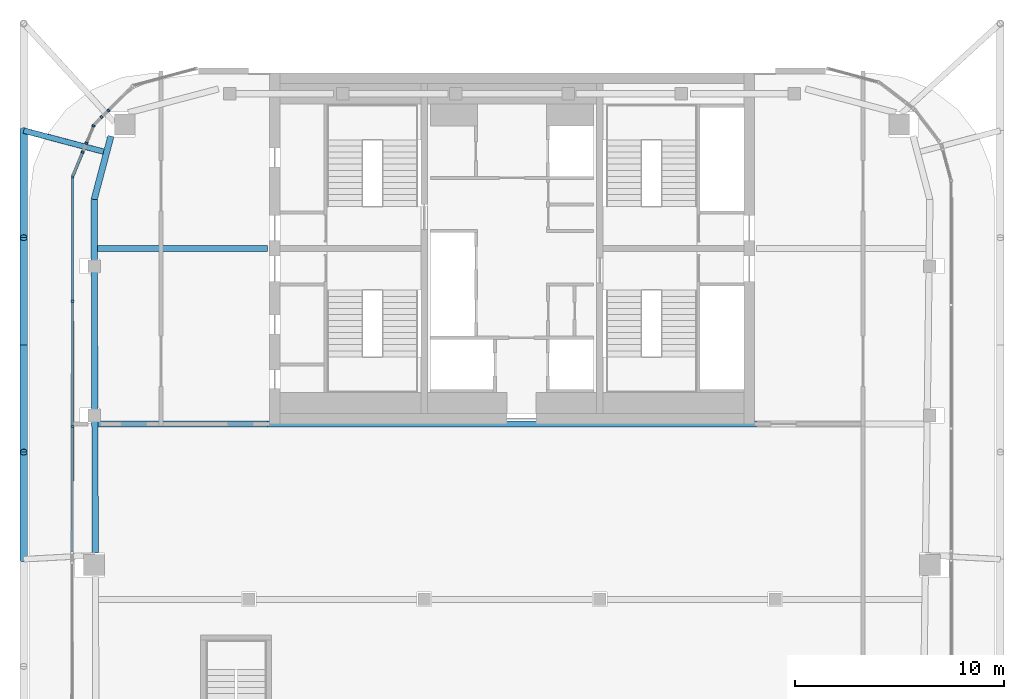
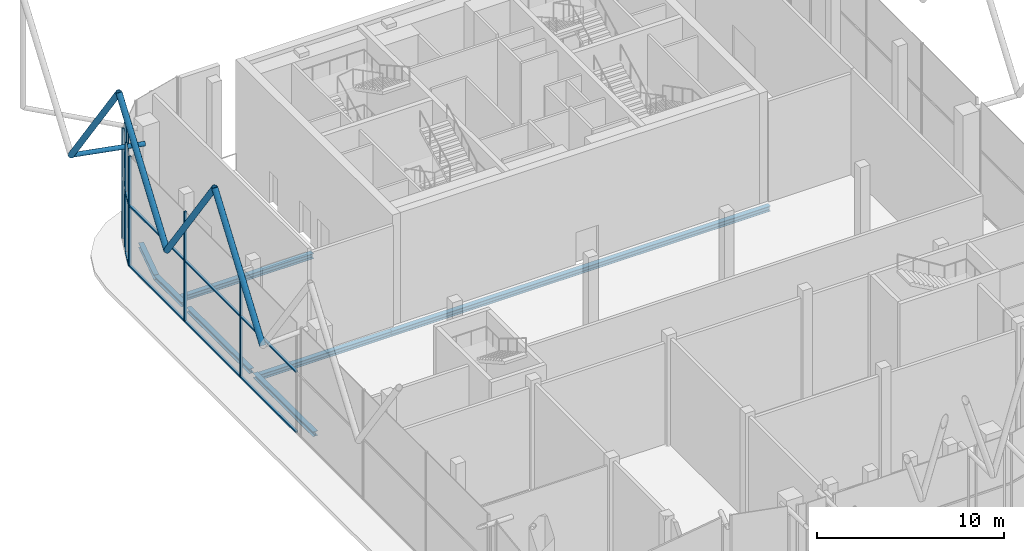
# One storey, part 6 of 25: 21 members, 7 beams, 6 elements without a shape of their own.
"""IFC4 building model written with IfcOpenShell, lengths in metres."""

from ifc_helpers import new_model, si_unit, direction, frame, origin, origin_2d, place, context, subcontext, project, spatial, rectangle, hollow_circle, i_section, extrude, material, layer, layer_set, material_profile, profile_set, type_object, element, aggregate, save


model = new_model("IFC4")

# Units and contexts
model_context = context("Model", 3, precision=1e-05, world=origin(), true_north=direction((0.0, 1.0)))
body_context = subcontext(model_context, "Body", "Model", "MODEL_VIEW")
ifc_project = project(units=[si_unit("LENGTHUNIT", "METRE"), si_unit("AREAUNIT", "SQUARE_METRE"), si_unit("VOLUMEUNIT", "CUBIC_METRE"), si_unit("PLANEANGLEUNIT", "RADIAN"), si_unit("MASSUNIT", "GRAM", prefix="KILO")], contexts=[model_context])

# Site, building, storey
site_placement = place(None, origin())
site = spatial("IfcSite", under=ifc_project, at=site_placement, CompositionType="ELEMENT")
building_placement = place(site_placement, origin())
building = spatial("IfcBuilding", under=site, at=building_placement, Name="Marenta Gate Hotel Tower", CompositionType="ELEMENT")
storey_placement = place(building_placement, frame((0.0, 0.0, 281.300048828125)))
storey = spatial("IfcBuildingStorey", under=building, at=storey_placement, Name="L65", CompositionType="ELEMENT", Elevation=281.300048828125)

# Members
ifc_material_1 = material(Name="Steel S355J2W", Category="steel")
ifc_material_profile_1 = material_profile(ifc_material_1, hollow_circle(Radius=0.177734375, WallThickness=0.01611328125, at=origin_2d()), Name="CHS 355.6x16")
ifc_profile_set_1 = profile_set([ifc_material_profile_1], Name="Steel S355J2W")
member_type_1 = type_object("IfcMemberType", Name="Diagrid diagonal C CHS 355.6x16", PredefinedType="BRACE", material=ifc_profile_set_1)
member_1_placement = place(storey_placement, frame((-23.3701171875, -6.4765625, 6.739990234375), z_axis=(0.0, 0.580213650922, 0.81446431431), x_axis=(-1.0, 0.0, 0.0)))
element("IfcMember", 1, at=member_1_placement, inside=storey, type_object=member_type_1, Name="L65-DG-30", PredefinedType="BRACE", context=body_context, shape_type="SweptSolid", body=[
    extrude(hollow_circle(Radius=0.177734375, WallThickness=0.01611328125, at=origin_2d()), origin(), (0.0, 0.0, 1.0), 8.840087890625),
])
for number, where, z_axis, x_axis, name in (
    (2, (-23.3701171875, 3.781982421875, 6.739990234375), (0.0, -0.580231970533, 0.81445126335), (1.0, 0.0, 0.0), "L65-DG-31"),
    (3, (-23.3701171875, 3.781982421875, 6.739990234375), (0.0, 0.580231970533, 0.81445126335), (-1.0, 0.0, 0.0), "L65-DG-32"),
    (4, (-23.3701171875, 14.040771484375, 6.739990234375), (0.0, -0.580231970533, 0.81445126335), (1.0, 0.0, 0.0), "L65-DG-33"),
):
    element("IfcMember", number, at=place(storey_placement, frame(where, z_axis=z_axis, x_axis=x_axis)), inside=storey, type_object=member_type_1, Name=name, PredefinedType="BRACE", context=body_context, shape_type="SweptSolid", body=[
        extrude(hollow_circle(Radius=0.177734375, WallThickness=0.01611328125, at=origin_2d()), origin(), (0.0, 0.0, 1.0), 8.84033203125),
    ])

# Beams
ifc_material_2 = material(Name="Steel S355", Category="steel")
ifc_material_profile_2 = material_profile(ifc_material_2, i_section(OverallWidth=0.300048828125, OverallDepth=0.300048828125, WebThickness=0.010986328125, FlangeThickness=0.01904296875, FilletRadius=0.027099609375, at=origin_2d()), Name="HEB 300")
ifc_profile_set_2 = profile_set([ifc_material_profile_2], Name="Steel S355")
beam_type_1 = type_object("IfcBeamType", Name="Edge beam HEB 300", PredefinedType="SPANDREL", material=ifc_profile_set_2)
beam_1_placement = place(storey_placement, frame((-19.943603515625, -6.18994140625, -0.41015625), z_axis=(-0.003322367671, 0.999994480921, 0.0), x_axis=(-0.999994480921, -0.003322367671, 0.0)))
element("IfcBeam", 5, at=beam_1_placement, inside=storey, type_object=beam_type_1, Name="L65-EB-8", PredefinedType="SPANDREL", context=body_context, shape_type="SweptSolid", body=[
    extrude(i_section(OverallWidth=0.300048828125, OverallDepth=0.300048828125, WebThickness=0.010986328125, FlangeThickness=0.01904296875, FilletRadius=0.027099609375, at=origin_2d()), origin(), (0.0, 0.0, 1.0), 6.39306640625),
])
beam_2_placement = place(storey_placement, frame((-19.96630859375, 0.603271484375, -0.41015625), z_axis=(-0.003314375735, 0.999994507442, 0.0), x_axis=(-0.999994507442, -0.003314375735, 0.0)))
element("IfcBeam", 6, at=beam_2_placement, inside=storey, type_object=beam_type_1, Name="L65-EB-9", PredefinedType="SPANDREL", context=body_context, shape_type="SweptSolid", body=[
    extrude(i_section(OverallWidth=0.300048828125, OverallDepth=0.300048828125, WebThickness=0.010986328125, FlangeThickness=0.01904296875, FilletRadius=0.027099609375, at=origin_2d()), origin(), (0.0, 0.0, 1.0), 6.703125),
])
beam_3_placement = place(storey_placement, frame((-19.990234375, 7.806396484375, -0.41015625), z_axis=(-0.003335260362, 0.999994438004, 0.0), x_axis=(-0.999994438004, -0.003335260362, 0.0)))
element("IfcBeam", 7, at=beam_3_placement, inside=storey, type_object=beam_type_1, Name="L65-EB-10", PredefinedType="SPANDREL", context=body_context, shape_type="SweptSolid", body=[
    extrude(i_section(OverallWidth=0.300048828125, OverallDepth=0.300048828125, WebThickness=0.010986328125, FlangeThickness=0.01904296875, FilletRadius=0.027099609375, at=origin_2d()), origin(), (0.0, 0.0, 1.0), 2.927978515625),
])
beam_4_placement = place(storey_placement, frame((-20.0, 10.734375, -0.41015625), z_axis=(0.25561297124, 0.966779193474, 0.0), x_axis=(-0.966779193474, 0.25561297124, 0.0)))
element("IfcBeam", 8, at=beam_4_placement, inside=storey, type_object=beam_type_1, Name="L65-EB-11", PredefinedType="SPANDREL", context=body_context, shape_type="SweptSolid", body=[
    extrude(i_section(OverallWidth=0.300048828125, OverallDepth=0.300048828125, WebThickness=0.010986328125, FlangeThickness=0.01904296875, FilletRadius=0.027099609375, at=origin_2d()), origin(), (0.0, 0.0, 1.0), 3.144287109375),
])

# Member
ifc_material_3 = material(Name="Steel S355J2W", Category="steel")
ifc_material_profile_3 = material_profile(ifc_material_3, hollow_circle(Radius=0.136474609375, WallThickness=0.012451171875, at=origin_2d()), Name="CHS 273x12.5")
ifc_profile_set_3 = profile_set([ifc_material_profile_3], Name="Steel S355J2W")
member_type_2 = type_object("IfcMemberType", Name="Floor tie CHS 273x12.5", PredefinedType="STRUT", material=ifc_profile_set_3)
member_2_placement = place(storey_placement, frame((-23.3701171875, 14.040771484375, 6.739990234375), z_axis=(0.966769783891, -0.255648557508, 0.0), x_axis=(0.255648557508, 0.966769783891, 0.0)))
element("IfcMember", 9, at=member_2_placement, inside=storey, type_object=member_type_2, Name="L65-DR-21", PredefinedType="STRUT", context=body_context, shape_type="SweptSolid", body=[
    extrude(hollow_circle(Radius=0.136474609375, WallThickness=0.012451171875, at=origin_2d()), origin(), (0.0, 0.0, 1.0), 4.097900390625),
])

# Beams
ifc_material_4 = material(Name="Steel S355", Category="steel")
ifc_material_profile_4 = material_profile(ifc_material_4, i_section(OverallWidth=0.300048828125, OverallDepth=0.340087890625, WebThickness=0.011962890625, FlangeThickness=0.021484375, FilletRadius=0.027099609375, at=origin_2d()), Name="HEB 340")
ifc_profile_set_4 = profile_set([ifc_material_profile_4], Name="Steel S355")
beam_type_2 = type_object("IfcBeamType", Name="Girder HEB 340", PredefinedType="BEAM", material=ifc_profile_set_4)
beam_5_placement = place(storey_placement, frame((-19.814208984375, 0.0, -0.429931640625), z_axis=(1.0, 0.0, 0.0), x_axis=(0.0, 1.0, 0.0)))
element("IfcBeam", 10, at=beam_5_placement, inside=storey, type_object=beam_type_2, Name="L65-GD-16", PredefinedType="BEAM", context=body_context, shape_type="SweptSolid", body=[
    extrude(i_section(OverallWidth=0.300048828125, OverallDepth=0.340087890625, WebThickness=0.011962890625, FlangeThickness=0.021484375, FilletRadius=0.027099609375, at=origin_2d()), origin(), (0.0, 0.0, 1.0), 8.1142578125),
])
beam_6_placement = place(storey_placement, frame((-11.699951171875, 0.0, -0.429931640625), z_axis=(1.0, 0.0, 0.0), x_axis=(0.0, 1.0, 0.0)))
element("IfcBeam", 11, at=beam_6_placement, inside=storey, type_object=beam_type_2, Name="L65-GD-17", PredefinedType="BEAM", context=body_context, shape_type="SweptSolid", body=[
    extrude(i_section(OverallWidth=0.300048828125, OverallDepth=0.340087890625, WebThickness=0.011962890625, FlangeThickness=0.021484375, FilletRadius=0.027099609375, at=origin_2d()), origin(), (0.0, 0.0, 1.0), 23.39990234375),
])
beam_7_placement = place(storey_placement, frame((-19.84228515625, 8.39990234375, -0.429931640625), z_axis=(1.0, 0.0, 0.0), x_axis=(0.0, 1.0, 0.0)))
element("IfcBeam", 12, at=beam_7_placement, inside=storey, type_object=beam_type_2, Name="L65-GD-19", PredefinedType="BEAM", context=body_context, shape_type="SweptSolid", body=[
    extrude(i_section(OverallWidth=0.300048828125, OverallDepth=0.340087890625, WebThickness=0.011962890625, FlangeThickness=0.021484375, FilletRadius=0.027099609375, at=origin_2d()), origin(), (0.0, 0.0, 1.0), 8.142333984375),
])

# Curtain wall, member
ifc_material_5 = material(Name="Tinted insulated glass in bronze anodised frame", Category="glass")
ifc_layer = layer(ifc_material_5, 0.139892578125)
ifc_layer_set = layer_set([ifc_layer], Name="Tinted insulated glass in bronze anodised frame")
curtain_wall_type = type_object("IfcCurtainWallType", Name="Observation deck structural glazing CW3", PredefinedType="NOTDEFINED", material=ifc_layer_set)
curtain_wall_1_placement = place(storey_placement, origin())
curtain_wall_1 = element("IfcCurtainWall", 13, at=curtain_wall_1_placement, inside=storey, type_object=curtain_wall_type, Name="CW3 run G02", PredefinedType="NOTDEFINED")
ifc_material_6 = material(Name="Bronze anodised aluminium", Category="aluminium")
ifc_material_profile_5 = material_profile(ifc_material_6, rectangle(XDim=0.139892578125, YDim=0.10009765625, at=origin_2d()), Name="Mullion CW3 100x140 bronze anodised aluminium")
ifc_profile_set_5 = profile_set([ifc_material_profile_5], Name="Bronze anodised aluminium")
member_type_3 = type_object("IfcMemberType", Name="Mullion CW3 100x140 bronze anodised aluminium", PredefinedType="MULLION", material=ifc_profile_set_5)
member_3_placement = place(storey_placement, frame((-19.317626953125, 15.00146484375, 0.0), z_axis=(0.0, 0.0, 1.0), x_axis=(0.706996511121, -0.707217034059, 0.0)))
member_3 = element("IfcMember", 14, at=member_3_placement, type_object=member_type_3, Name="CW3 mullion 1", PredefinedType="MULLION", context=body_context, shape_type="SweptSolid", body=[
    extrude(rectangle(XDim=0.139892578125, YDim=0.10009765625, at=origin_2d()), origin(), (0.0, 0.0, 1.0), 6.600341796875),
])
aggregate(curtain_wall_1, [member_3])

curtain_wall_2_placement = place(storey_placement, origin())
curtain_wall_2 = element("IfcCurtainWall", 15, at=curtain_wall_2_placement, inside=storey, type_object=curtain_wall_type, Name="CW3 run G03", PredefinedType="NOTDEFINED")
member_4_placement = place(storey_placement, frame((-19.63818359375, 14.680908203125, 0.0), z_axis=(0.0, 0.0, 1.0), x_axis=(0.707193145371, -0.707020406453, 0.0)))
member_4 = element("IfcMember", 16, at=member_4_placement, type_object=member_type_3, Name="CW3 mullion 1", PredefinedType="MULLION", context=body_context, shape_type="SweptSolid", body=[
    extrude(rectangle(XDim=0.139892578125, YDim=0.10009765625, at=origin_2d()), origin(), (0.0, 0.0, 1.0), 7.199951171875),
])
aggregate(curtain_wall_2, [member_4])

curtain_wall_3_placement = place(storey_placement, origin())
curtain_wall_3 = element("IfcCurtainWall", 17, at=curtain_wall_3_placement, inside=storey, type_object=curtain_wall_type, Name="CW3 run G04", PredefinedType="NOTDEFINED")
member_5_placement = place(storey_placement, frame((-20.03125, 14.2607421875, 0.0), z_axis=(0.0, 0.0, 1.0), x_axis=(0.923872851141, -0.382699562223, 0.0)))
member_5 = element("IfcMember", 18, at=member_5_placement, type_object=member_type_3, Name="CW3 mullion 1", PredefinedType="MULLION", context=body_context, shape_type="SweptSolid", body=[
    extrude(rectangle(XDim=0.139892578125, YDim=0.10009765625, at=origin_2d()), origin(), (0.0, 0.0, 1.0), 7.199951171875),
])
aggregate(curtain_wall_3, [member_5])

curtain_wall_4_placement = place(storey_placement, origin())
curtain_wall_4 = element("IfcCurtainWall", 19, at=curtain_wall_4_placement, inside=storey, type_object=curtain_wall_type, Name="CW3 run G05", PredefinedType="NOTDEFINED")
member_6_placement = place(storey_placement, frame((-20.374755859375, 13.431640625, 0.0), z_axis=(0.0, 0.0, 1.0), x_axis=(0.923896848097, -0.382641626167, 0.0)))
member_6 = element("IfcMember", 20, at=member_6_placement, type_object=member_type_3, Name="CW3 mullion 1", PredefinedType="MULLION", context=body_context, shape_type="SweptSolid", body=[
    extrude(rectangle(XDim=0.139892578125, YDim=0.10009765625, at=origin_2d()), origin(), (0.0, 0.0, 1.0), 6.600341796875),
])
aggregate(curtain_wall_4, [member_6])

curtain_wall_5_placement = place(storey_placement, origin())
curtain_wall_5 = element("IfcCurtainWall", 21, at=curtain_wall_5_placement, inside=storey, type_object=curtain_wall_type, Name="CW3 run G06", PredefinedType="NOTDEFINED")
member_7_placement = place(storey_placement, frame((-20.549560546875, 13.009521484375, 0.0), z_axis=(0.0, 0.0, 1.0), x_axis=(0.923889761195, -0.382658737206, 0.0)))
member_7 = element("IfcMember", 22, at=member_7_placement, type_object=member_type_3, Name="CW3 mullion 1", PredefinedType="MULLION", context=body_context, shape_type="SweptSolid", body=[
    extrude(rectangle(XDim=0.139892578125, YDim=0.10009765625, at=origin_2d()), origin(), (0.0, 0.0, 1.0), 7.199951171875),
])

# Curtain wall, members
curtain_wall_6_placement = place(storey_placement, origin())
curtain_wall_6 = element("IfcCurtainWall", 23, at=curtain_wall_6_placement, inside=storey, type_object=curtain_wall_type, Name="CW3 run G07", PredefinedType="NOTDEFINED")
member_8_placement = place(storey_placement, frame((-21.0224609375, 11.818115234375, 0.0), z_axis=(0.0, 0.0, 1.0), x_axis=(0.999998771647, -0.001567387476, 0.0)))
member_8 = element("IfcMember", 24, at=member_8_placement, type_object=member_type_3, Name="CW3 mullion 1", PredefinedType="MULLION", context=body_context, shape_type="SweptSolid", body=[
    extrude(rectangle(XDim=0.139892578125, YDim=0.10009765625, at=origin_2d()), origin(), (0.0, 0.0, 1.0), 7.199951171875),
])
member_9_placement = place(storey_placement, frame((-21.03173828125, 5.870849609375, 0.0), z_axis=(0.0, 0.0, 1.0), x_axis=(0.999998771647, -0.001567387476, 0.0)))
member_9 = element("IfcMember", 25, at=member_9_placement, type_object=member_type_3, Name="CW3 mullion 2", PredefinedType="MULLION", context=body_context, shape_type="SweptSolid", body=[
    extrude(rectangle(XDim=0.139892578125, YDim=0.10009765625, at=origin_2d()), origin(), (0.0, 0.0, 1.0), 7.199951171875),
])
member_10_placement = place(storey_placement, frame((-21.041015625, -0.126220703125, 0.0), z_axis=(0.0, 0.0, 1.0), x_axis=(0.999998771647, -0.001567387476, 0.0)))
member_10 = element("IfcMember", 26, at=member_10_placement, type_object=member_type_3, Name="CW3 mullion 3", PredefinedType="MULLION", context=body_context, shape_type="SweptSolid", body=[
    extrude(rectangle(XDim=0.139892578125, YDim=0.10009765625, at=origin_2d()), origin(), (0.0, 0.0, 1.0), 7.199951171875),
])

# Member
ifc_material_7 = material(Name="Bronze anodised aluminium", Category="aluminium")
ifc_material_profile_6 = material_profile(ifc_material_7, rectangle(XDim=0.139892578125, YDim=0.10009765625, at=origin_2d()), Name="Transom CW3 100x140 bronze anodised aluminium")
ifc_profile_set_6 = profile_set([ifc_material_profile_6], Name="Bronze anodised aluminium")
member_type_4 = type_object("IfcMemberType", Name="Transom CW3 100x140 bronze anodised aluminium", PredefinedType="USERDEFINED", material=ifc_profile_set_6)
member_11_placement = place(storey_placement, frame((-20.56884765625, 12.963134765625, 0.050048828125), z_axis=(-0.382551933116, -0.92393399032, 0.0), x_axis=(0.92393399032, -0.382551933116, 0.0)))
member_11 = element("IfcMember", 27, at=member_11_placement, type_object=member_type_4, Name="CW3 transom 1.1", ObjectType="TRANSOM", PredefinedType="USERDEFINED", context=body_context, shape_type="SweptSolid", body=[
    extrude(rectangle(XDim=0.139892578125, YDim=0.10009765625, at=origin_2d()), origin(), (0.0, 0.0, 1.0), 1.18505859375),
])

member_12_placement = place(storey_placement, frame((-20.56884765625, 12.963134765625, 4.0), z_axis=(-0.382551933116, -0.92393399032, 0.0), x_axis=(0.92393399032, -0.382551933116, 0.0)))
member_12 = element("IfcMember", 28, at=member_12_placement, type_object=member_type_4, Name="CW3 transom 1.2", ObjectType="TRANSOM", PredefinedType="USERDEFINED", context=body_context, shape_type="SweptSolid", body=[
    extrude(rectangle(XDim=0.139892578125, YDim=0.10009765625, at=origin_2d()), origin(), (0.0, 0.0, 1.0), 1.18505859375),
])

aggregate(curtain_wall_5, [member_7, member_11, member_12])

member_13_placement = place(storey_placement, frame((-21.0224609375, 11.768310546875, 0.050048828125), z_axis=(-0.001586570589, -0.999998741396, 0.0), x_axis=(0.999998741396, -0.001586570589, 0.0)))
member_13 = element("IfcMember", 29, at=member_13_placement, type_object=member_type_4, Name="CW3 transom 1.1", ObjectType="TRANSOM", PredefinedType="USERDEFINED", context=body_context, shape_type="SweptSolid", body=[
    extrude(rectangle(XDim=0.139892578125, YDim=0.10009765625, at=origin_2d()), origin(), (0.0, 0.0, 1.0), 5.847412109375),
])

member_14_placement = place(storey_placement, frame((-21.0224609375, 11.768310546875, 4.0), z_axis=(-0.001586570589, -0.999998741396, 0.0), x_axis=(0.999998741396, -0.001586570589, 0.0)))
member_14 = element("IfcMember", 30, at=member_14_placement, type_object=member_type_4, Name="CW3 transom 1.2", ObjectType="TRANSOM", PredefinedType="USERDEFINED", context=body_context, shape_type="SweptSolid", body=[
    extrude(rectangle(XDim=0.139892578125, YDim=0.10009765625, at=origin_2d()), origin(), (0.0, 0.0, 1.0), 5.847412109375),
])

member_15_placement = place(storey_placement, frame((-21.03173828125, 5.821044921875, 0.050048828125), z_axis=(-0.001573171309, -0.999998762565, 0.0), x_axis=(0.999998762565, -0.001573171309, 0.0)))
member_15 = element("IfcMember", 31, at=member_15_placement, type_object=member_type_4, Name="CW3 transom 2.1", ObjectType="TRANSOM", PredefinedType="USERDEFINED", context=body_context, shape_type="SweptSolid", body=[
    extrude(rectangle(XDim=0.139892578125, YDim=0.10009765625, at=origin_2d()), origin(), (0.0, 0.0, 1.0), 5.897216796875),
])

member_16_placement = place(storey_placement, frame((-21.03173828125, 5.821044921875, 4.0), z_axis=(-0.001573171309, -0.999998762565, 0.0), x_axis=(0.999998762565, -0.001573171309, 0.0)))
member_16 = element("IfcMember", 32, at=member_16_placement, type_object=member_type_4, Name="CW3 transom 2.2", ObjectType="TRANSOM", PredefinedType="USERDEFINED", context=body_context, shape_type="SweptSolid", body=[
    extrude(rectangle(XDim=0.139892578125, YDim=0.10009765625, at=origin_2d()), origin(), (0.0, 0.0, 1.0), 5.897216796875),
])

member_17_placement = place(storey_placement, frame((-21.041259765625, -0.17626953125, 0.050048828125), z_axis=(-0.001559932421, -0.999998783305, 0.0), x_axis=(0.999998783305, -0.001559932421, 0.0)))
member_17 = element("IfcMember", 33, at=member_17_placement, type_object=member_type_4, Name="CW3 transom 3.1", ObjectType="TRANSOM", PredefinedType="USERDEFINED", context=body_context, shape_type="SweptSolid", body=[
    extrude(rectangle(XDim=0.139892578125, YDim=0.10009765625, at=origin_2d()), origin(), (0.0, 0.0, 1.0), 5.947265625),
])

member_18_placement = place(storey_placement, frame((-21.041259765625, -0.17626953125, 4.0), z_axis=(-0.001559932421, -0.999998783305, 0.0), x_axis=(0.999998783305, -0.001559932421, 0.0)))
member_18 = element("IfcMember", 34, at=member_18_placement, type_object=member_type_4, Name="CW3 transom 3.2", ObjectType="TRANSOM", PredefinedType="USERDEFINED", context=body_context, shape_type="SweptSolid", body=[
    extrude(rectangle(XDim=0.139892578125, YDim=0.10009765625, at=origin_2d()), origin(), (0.0, 0.0, 1.0), 5.947265625),
])

aggregate(curtain_wall_6, [member_8, member_9, member_10, member_13, member_14, member_15, member_16, member_17, member_18])

save(model, "model.ifc")
